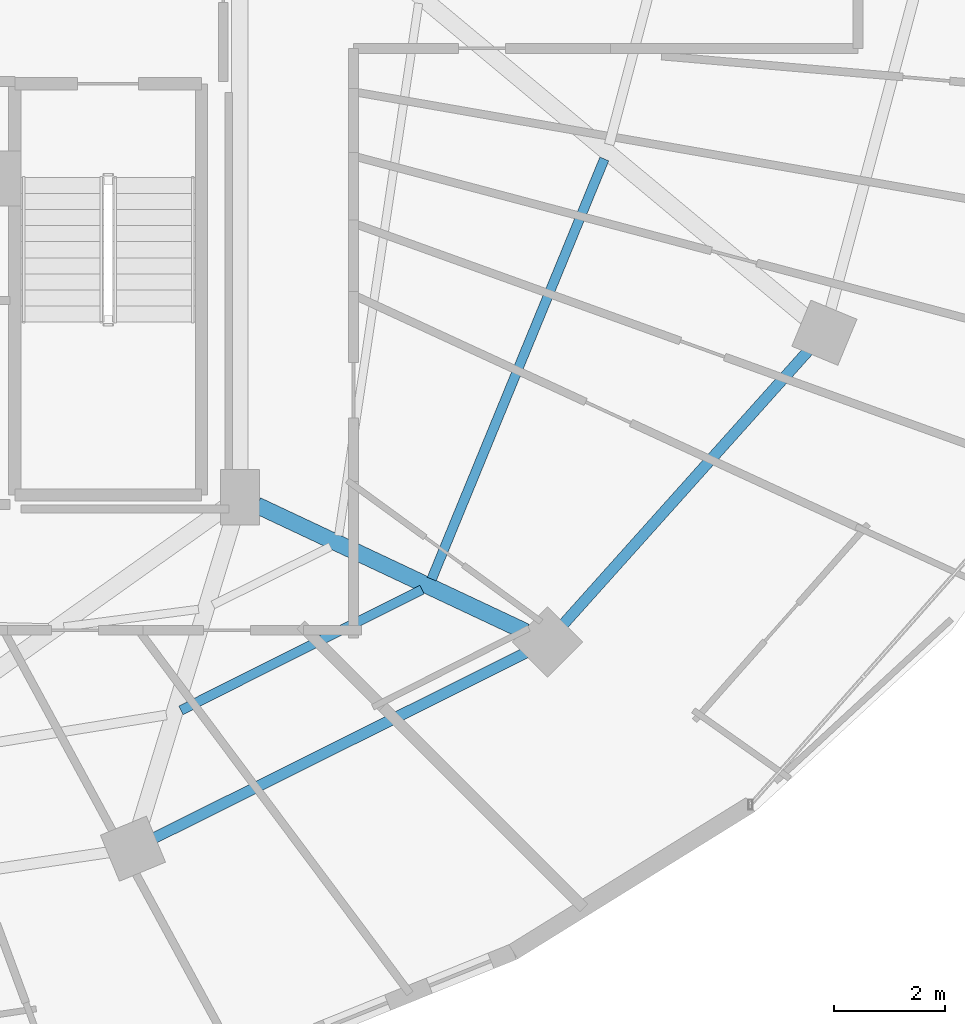
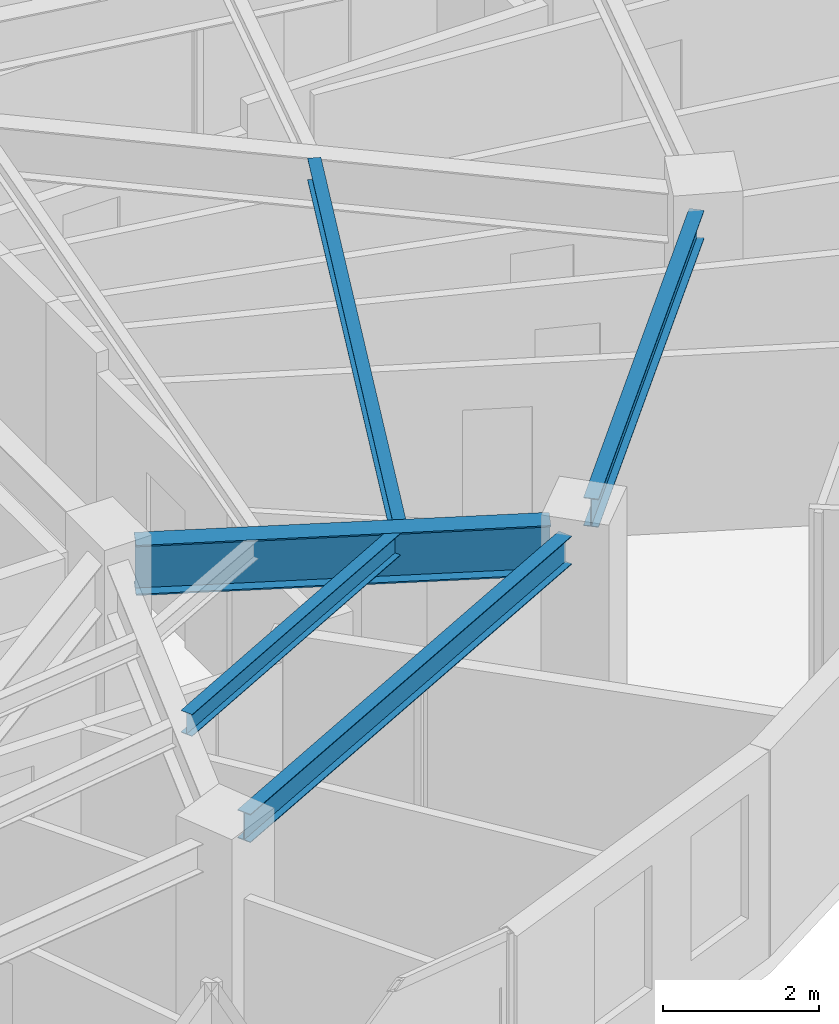
# One storey, part 12 of 33: 5 beams.
"""IFC4 building model written with IfcOpenShell, lengths in metres."""

from ifc_helpers import new_model, si_unit, direction, frame, origin, origin_2d, place, context, subcontext, project, spatial, i_section, extrude, material, material_profile, profile_set, type_object, element, save


model = new_model("IFC4")

# Units and contexts
model_context = context("Model", 3, precision=1e-05, world=origin(), true_north=direction((0.0, 1.0)))
body_context = subcontext(model_context, "Body", "Model", "MODEL_VIEW")
ifc_project = project(units=[si_unit("LENGTHUNIT", "METRE"), si_unit("AREAUNIT", "SQUARE_METRE"), si_unit("VOLUMEUNIT", "CUBIC_METRE"), si_unit("PLANEANGLEUNIT", "RADIAN"), si_unit("MASSUNIT", "GRAM", prefix="KILO")], contexts=[model_context])

# Site, building, storey
site_placement = place(None, origin())
site = spatial("IfcSite", under=ifc_project, at=site_placement, CompositionType="ELEMENT")
building_placement = place(site_placement, origin())
building = spatial("IfcBuilding", under=site, at=building_placement, Name="Vorneva Point Tower", CompositionType="ELEMENT")
storey_placement = place(building_placement, frame((0.0, 0.0, 179.10009765625)))
storey = spatial("IfcBuildingStorey", under=building, at=storey_placement, Name="L48", CompositionType="ELEMENT", Elevation=179.10009765625)

# Beams
ifc_material = material(Name="Steel S355", Category="steel")
ifc_material_profile_1 = material_profile(ifc_material, i_section(OverallWidth=0.300048828125, OverallDepth=0.7880859375, WebThickness=0.014404296875, FlangeThickness=0.02197265625, at=origin_2d()), Name="80Sh1")
ifc_profile_set_1 = profile_set([ifc_material_profile_1], Name="Steel S355")
beam_type_1 = type_object("IfcBeamType", Name="BM-GRD-80Sh1", PredefinedType="USERDEFINED", material=ifc_profile_set_1)
beam_1_placement = place(storey_placement, frame((53.902587890625, 14.0244140625, 2.845947265625), z_axis=(-0.904762899762, 0.42591559635, 0.0), x_axis=(-0.42591559635, -0.904762899762, 0.0)))
element("IfcBeam", 1, at=beam_1_placement, inside=storey, type_object=beam_type_1, Name="L48 Radial Primary Girder 15", ObjectType="GIRDER", PredefinedType="USERDEFINED", context=body_context, shape_type="SweptSolid", body=[
    extrude(i_section(OverallWidth=0.300048828125, OverallDepth=0.7880859375, WebThickness=0.014404296875, FlangeThickness=0.02197265625, at=origin_2d()), origin(), (0.0, 0.0, 1.0), 5.35498046875),
])
ifc_material_profile_2 = material_profile(ifc_material, i_section(OverallWidth=0.174072265625, OverallDepth=0.345947265625, WebThickness=0.006103515625, FlangeThickness=0.009033203125, at=origin_2d()), Name="35B1")
ifc_profile_set_2 = profile_set([ifc_material_profile_2], Name="Steel S355")
beam_type_2 = type_object("IfcBeamType", Name="BM-SEC-35B1", PredefinedType="BEAM", material=ifc_profile_set_2)
beam_2_placement = place(storey_placement, frame((47.684814453125, 12.604736328125, 3.06689453125), z_axis=(0.89410580889, 0.44785578316, 0.0), x_axis=(-0.44785578316, 0.89410580889, 0.0)))
element("IfcBeam", 2, at=beam_2_placement, inside=storey, type_object=beam_type_2, Name="L48 Secondary Floor Beam 1.14", PredefinedType="BEAM", context=body_context, shape_type="SweptSolid", body=[
    extrude(i_section(OverallWidth=0.174072265625, OverallDepth=0.345947265625, WebThickness=0.006103515625, FlangeThickness=0.009033203125, at=origin_2d()), origin(), (0.0, 0.0, 1.0), 4.865234375),
])
beam_3_placement = place(storey_placement, frame((52.210693359375, 14.97314453125, 3.06689453125), z_axis=(0.380070895396, 0.924957358192, 0.0), x_axis=(-0.924957358192, 0.380070895396, 0.0)))
element("IfcBeam", 3, at=beam_3_placement, inside=storey, type_object=beam_type_2, Name="L48 Secondary Floor Beam 1.15", PredefinedType="BEAM", context=body_context, shape_type="SweptSolid", body=[
    extrude(i_section(OverallWidth=0.174072265625, OverallDepth=0.345947265625, WebThickness=0.006103515625, FlangeThickness=0.009033203125, at=origin_2d()), origin(), (0.0, 0.0, 1.0), 8.194580078125),
])
ifc_material_profile_3 = material_profile(ifc_material, i_section(OverallWidth=0.198974609375, OverallDepth=0.446044921875, WebThickness=0.008056640625, FlangeThickness=0.011962890625, at=origin_2d()), Name="45B1")
ifc_profile_set_3 = profile_set([ifc_material_profile_3], Name="Steel S355")
beam_type_3 = type_object("IfcBeamType", Name="BM-SPN-45B1", PredefinedType="SPANDREL", material=ifc_profile_set_3)
beam_4_placement = place(storey_placement, frame((47.210205078125, 10.303466796875, 3.016845703125), z_axis=(0.894922371084, 0.446221861559, 0.0), x_axis=(-0.446221861559, 0.894922371084, 0.0)))
element("IfcBeam", 4, at=beam_4_placement, inside=storey, type_object=beam_type_3, Name="L48 Perimeter Spandrel Ring Beam 14", PredefinedType="SPANDREL", context=body_context, shape_type="SweptSolid", body=[
    extrude(i_section(OverallWidth=0.198974609375, OverallDepth=0.446044921875, WebThickness=0.008056640625, FlangeThickness=0.011962890625, at=origin_2d()), origin(), (0.0, 0.0, 1.0), 7.48583984375),
])
beam_5_placement = place(storey_placement, frame((54.589111328125, 14.161865234375, 3.016845703125), z_axis=(0.66706970547, 0.744995307397, 0.0), x_axis=(-0.744995307397, 0.66706970547, 0.0)))
element("IfcBeam", 5, at=beam_5_placement, inside=storey, type_object=beam_type_3, Name="L48 Perimeter Spandrel Ring Beam 15", PredefinedType="SPANDREL", context=body_context, shape_type="SweptSolid", body=[
    extrude(i_section(OverallWidth=0.198974609375, OverallDepth=0.446044921875, WebThickness=0.008056640625, FlangeThickness=0.011962890625, at=origin_2d()), origin(), (0.0, 0.0, 1.0), 6.6201171875),
])

save(model, "model.ifc")
